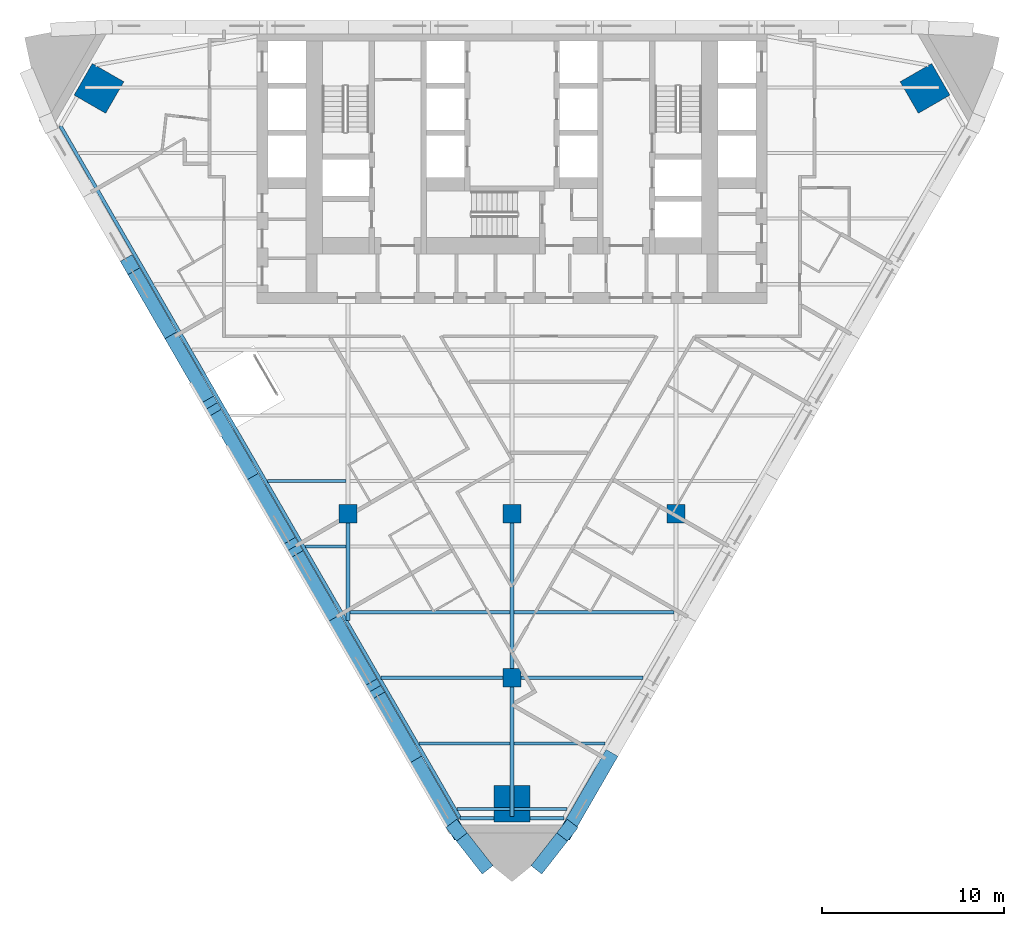
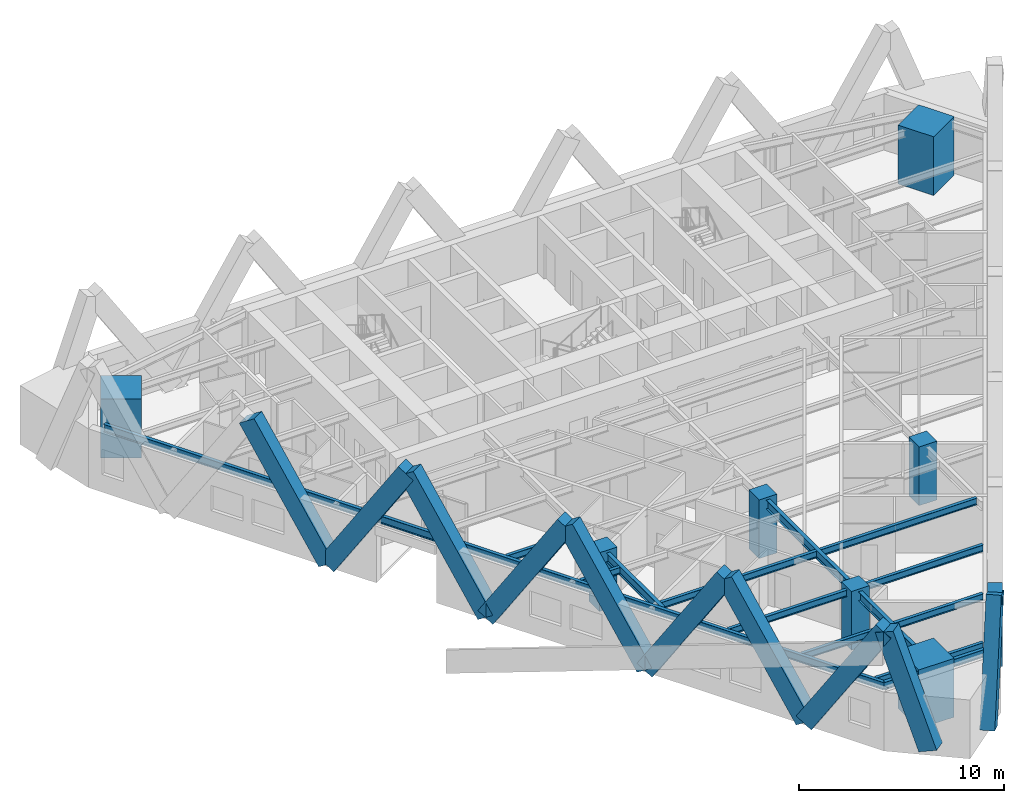
# One storey, part 1 of 12: 16 beams, 11 members, 7 columns.
"""IFC4 building model written with IfcOpenShell, lengths in metres."""

from ifc_helpers import new_model, si_unit, direction, frame, origin, origin_2d, place, context, subcontext, project, spatial, rectangle, i_section, extrude, material, material_profile, profile_set, type_object, element, save


model = new_model("IFC4")

# Units and contexts
model_context = context("Model", 3, precision=1e-05, world=origin(), true_north=direction((0.0, 1.0)))
body_context = subcontext(model_context, "Body", "Model", "MODEL_VIEW")
ifc_project = project(units=[si_unit("LENGTHUNIT", "METRE"), si_unit("AREAUNIT", "SQUARE_METRE"), si_unit("VOLUMEUNIT", "CUBIC_METRE"), si_unit("PLANEANGLEUNIT", "RADIAN"), si_unit("MASSUNIT", "GRAM", prefix="KILO")], contexts=[model_context])

# Site, building, storey
site_placement = place(None, origin())
site = spatial("IfcSite", under=ifc_project, at=site_placement, CompositionType="ELEMENT")
building_placement = place(site_placement, origin())
building = spatial("IfcBuilding", under=site, at=building_placement, Name="Aloe Facet Convention Tower", CompositionType="ELEMENT")
storey_placement = place(building_placement, frame((0.0, 0.0, 56.0)))
storey = spatial("IfcBuildingStorey", under=building, at=storey_placement, Name="L12", CompositionType="ELEMENT", Elevation=56.0)

# Columns
ifc_material_1 = material(Name="Concrete C70/85", Category="concrete")
ifc_material_profile_1 = material_profile(ifc_material_1, rectangle(XDim=1.0, YDim=1.0, at=origin_2d()), Name="SF-GC-Z1")
ifc_profile_set_1 = profile_set([ifc_material_profile_1], Name="Concrete C70/85")
column_type_1 = type_object("IfcColumnType", Name="SF-GC-Z1", PredefinedType="COLUMN", material=ifc_profile_set_1)
for number, where, z_axis, x_axis, name in (
    (1, (71.0, 108.0, 0.0), (0.0, 0.0, 1.0), (1.0, 0.0, 0.0), "Gravity column GC-Z1-8D"),
    (2, (80.0, 99.0, 0.0), (0.0, 0.0, 1.0), (1.0, 0.0, 0.0), "Gravity column GC-Z1-9E"),
    (3, (80.0, 108.0, 0.0), (0.0, 0.0, 1.0), (1.0, 0.0, 0.0), "Gravity column GC-Z1-9D"),
    (4, (89.0, 108.0, 0.0), (0.0, 0.0, 1.0), (1.0, 0.0, 0.0), "Gravity column GC-Z1-10D"),
):
    element("IfcColumn", number, at=place(storey_placement, frame(where, z_axis=z_axis, x_axis=x_axis)), inside=storey, type_object=column_type_1, Name=name, PredefinedType="COLUMN", context=body_context, shape_type="SweptSolid", body=[
        extrude(rectangle(XDim=1.0, YDim=1.0, at=origin_2d()), origin(), (0.0, 0.0, 1.0), 3.5),
    ])
ifc_material_2 = material(Name="Concrete C80/95", Category="concrete")
ifc_material_profile_2 = material_profile(ifc_material_2, rectangle(XDim=2.0, YDim=2.0, at=origin_2d()), Name="STW-MC-Z1")
ifc_profile_set_2 = profile_set([ifc_material_profile_2], Name="Concrete C80/95")
column_type_2 = type_object("IfcColumnType", Name="STW-MC-Z1", PredefinedType="COLUMN", material=ifc_profile_set_2)
for number, where, z_axis, x_axis, name in (
    (5, (102.664306640625, 131.342041015625, 0.0), (0.0, 0.0, 1.0), (-0.5, 0.866025403784, 0.0), "Mega-column MC-NE-L12"),
    (6, (57.335693359375, 131.342041015625, 0.0), (0.0, 0.0, 1.0), (-0.5, -0.866025403784, 0.0), "Mega-column MC-NW-L12"),
    (7, (80.0, 92.086181640625, 0.0), (0.0, 0.0, 1.0), (1.0, 0.0, 0.0), "Mega-column MC-S-L12"),
):
    element("IfcColumn", number, at=place(storey_placement, frame(where, z_axis=z_axis, x_axis=x_axis)), inside=storey, type_object=column_type_2, Name=name, PredefinedType="COLUMN", context=body_context, shape_type="SweptSolid", body=[
        extrude(rectangle(XDim=2.0, YDim=2.0, at=origin_2d()), origin(), (0.0, 0.0, 1.0), 3.5),
    ])

# Beams
ifc_material_3 = material(Name="Steel S355", Category="steel")
ifc_material_profile_3 = material_profile(ifc_material_3, i_section(OverallWidth=0.177734375, OverallDepth=0.402587890625, WebThickness=0.0078125, FlangeThickness=0.010986328125, FilletRadius=0.01025390625, at=origin_2d()), Name="UB 406x178x54")
ifc_profile_set_3 = profile_set([ifc_material_profile_3], Name="Steel S355")
beam_type_1 = type_object("IfcBeamType", Name="SF-B-UB406x178x54", PredefinedType="BEAM", material=ifc_profile_set_3)
beam_1_placement = place(storey_placement, frame((66.5869140625, 109.800048828125, 3.148681640625), z_axis=(1.0, 0.0, 0.0), x_axis=(0.0, 1.0, 0.0)))
element("IfcBeam", 8, at=beam_1_placement, inside=storey, type_object=beam_type_1, Name="Floor beam FB-Z1B-022", PredefinedType="BEAM", context=body_context, shape_type="SweptSolid", body=[
    extrude(i_section(OverallWidth=0.177734375, OverallDepth=0.402587890625, WebThickness=0.0078125, FlangeThickness=0.010986328125, FilletRadius=0.01025390625, at=origin_2d()), origin(), (0.0, 0.0, 1.0), 4.3076171875),
])
beam_2_placement = place(storey_placement, frame((68.665283203125, 106.199951171875, 3.148681640625), z_axis=(1.0, 0.0, 0.0), x_axis=(0.0, 1.0, 0.0)))
element("IfcBeam", 9, at=beam_2_placement, inside=storey, type_object=beam_type_1, Name="Floor beam FB-Z1B-023", PredefinedType="BEAM", context=body_context, shape_type="SweptSolid", body=[
    extrude(i_section(OverallWidth=0.177734375, OverallDepth=0.402587890625, WebThickness=0.0078125, FlangeThickness=0.010986328125, FilletRadius=0.01025390625, at=origin_2d()), origin(), (0.0, 0.0, 1.0), 2.229248046875),
])
beam_3_placement = place(storey_placement, frame((71.10546875, 102.60009765625, 3.148681640625), z_axis=(1.0, 0.0, 0.0), x_axis=(0.0, 1.0, 0.0)))
element("IfcBeam", 10, at=beam_3_placement, inside=storey, type_object=beam_type_1, Name="Floor beam FB-Z1B-024", PredefinedType="BEAM", context=body_context, shape_type="SweptSolid", body=[
    extrude(i_section(OverallWidth=0.177734375, OverallDepth=0.402587890625, WebThickness=0.0078125, FlangeThickness=0.010986328125, FilletRadius=0.01025390625, at=origin_2d()), origin(), (0.0, 0.0, 1.0), 8.7890625),
])
beam_4_placement = place(storey_placement, frame((72.822265625, 99.0, 3.148681640625), z_axis=(1.0, 0.0, 0.0), x_axis=(0.0, 1.0, 0.0)))
element("IfcBeam", 11, at=beam_4_placement, inside=storey, type_object=beam_type_1, Name="Floor beam FB-Z1B-029", PredefinedType="BEAM", context=body_context, shape_type="SweptSolid", body=[
    extrude(i_section(OverallWidth=0.177734375, OverallDepth=0.402587890625, WebThickness=0.0078125, FlangeThickness=0.010986328125, FilletRadius=0.01025390625, at=origin_2d()), origin(), (0.0, 0.0, 1.0), 6.677734375),
])
beam_5_placement = place(storey_placement, frame((74.900634765625, 95.39990234375, 3.148681640625), z_axis=(1.0, 0.0, 0.0), x_axis=(0.0, 1.0, 0.0)))
element("IfcBeam", 12, at=beam_5_placement, inside=storey, type_object=beam_type_1, Name="Floor beam FB-Z1B-030", PredefinedType="BEAM", context=body_context, shape_type="SweptSolid", body=[
    extrude(i_section(OverallWidth=0.177734375, OverallDepth=0.402587890625, WebThickness=0.0078125, FlangeThickness=0.010986328125, FilletRadius=0.01025390625, at=origin_2d()), origin(), (0.0, 0.0, 1.0), 4.993896484375),
])
for number, where, z_axis, x_axis, name in (
    (13, (76.97900390625, 91.800048828125, 3.148681640625), (1.0, 0.0, 0.0), (0.0, 1.0, 0.0), "Floor beam FB-Z1B-031"),
    (14, (80.10546875, 91.800048828125, 3.148681640625), (1.0, 0.0, 0.0), (0.0, 1.0, 0.0), "Floor beam FB-Z1B-032"),
):
    element("IfcBeam", number, at=place(storey_placement, frame(where, z_axis=z_axis, x_axis=x_axis)), inside=storey, type_object=beam_type_1, Name=name, PredefinedType="BEAM", context=body_context, shape_type="SweptSolid", body=[
        extrude(i_section(OverallWidth=0.177734375, OverallDepth=0.402587890625, WebThickness=0.0078125, FlangeThickness=0.010986328125, FilletRadius=0.01025390625, at=origin_2d()), origin(), (0.0, 0.0, 1.0), 2.91552734375),
    ])
beam_6_placement = place(storey_placement, frame((80.10546875, 95.39990234375, 3.148681640625), z_axis=(1.0, 0.0, 0.0), x_axis=(0.0, 1.0, 0.0)))
element("IfcBeam", 15, at=beam_6_placement, inside=storey, type_object=beam_type_1, Name="Floor beam FB-Z1B-033", PredefinedType="BEAM", context=body_context, shape_type="SweptSolid", body=[
    extrude(i_section(OverallWidth=0.177734375, OverallDepth=0.402587890625, WebThickness=0.0078125, FlangeThickness=0.010986328125, FilletRadius=0.01025390625, at=origin_2d()), origin(), (0.0, 0.0, 1.0), 4.993896484375),
])
beam_7_placement = place(storey_placement, frame((80.10546875, 102.60009765625, 3.148681640625), z_axis=(1.0, 0.0, 0.0), x_axis=(0.0, 1.0, 0.0)))
element("IfcBeam", 16, at=beam_7_placement, inside=storey, type_object=beam_type_1, Name="Floor beam FB-Z1B-034", PredefinedType="BEAM", context=body_context, shape_type="SweptSolid", body=[
    extrude(i_section(OverallWidth=0.177734375, OverallDepth=0.402587890625, WebThickness=0.0078125, FlangeThickness=0.010986328125, FilletRadius=0.01025390625, at=origin_2d()), origin(), (0.0, 0.0, 1.0), 8.7890625),
])
beam_8_placement = place(storey_placement, frame((80.5, 99.0, 3.148681640625), z_axis=(1.0, 0.0, 0.0), x_axis=(0.0, 1.0, 0.0)))
element("IfcBeam", 17, at=beam_8_placement, inside=storey, type_object=beam_type_1, Name="Floor beam FB-Z1B-039", PredefinedType="BEAM", context=body_context, shape_type="SweptSolid", body=[
    extrude(i_section(OverallWidth=0.177734375, OverallDepth=0.402587890625, WebThickness=0.0078125, FlangeThickness=0.010986328125, FilletRadius=0.01025390625, at=origin_2d()), origin(), (0.0, 0.0, 1.0), 6.677734375),
])
ifc_material_4 = material(Name="Steel S355", Category="steel")
ifc_material_profile_4 = material_profile(ifc_material_4, i_section(OverallWidth=0.18994140625, OverallDepth=0.453369140625, WebThickness=0.008544921875, FlangeThickness=0.0126953125, FilletRadius=0.01025390625, at=origin_2d()), Name="UB 457x191x67")
ifc_profile_set_4 = profile_set([ifc_material_profile_4], Name="Steel S355")
beam_type_2 = type_object("IfcBeamType", Name="SF-B-UB457x191x67", PredefinedType="BEAM", material=ifc_profile_set_4)
beam_9_placement = place(storey_placement, frame((77.158935546875, 91.28125, 3.123291015625), z_axis=(-0.499998569178, 0.866026229868, 0.0), x_axis=(-0.866026229868, -0.499998569178, 0.0)))
element("IfcBeam", 18, at=beam_9_placement, inside=storey, type_object=beam_type_2, Name="Floor beam FB-Z1B-003", PredefinedType="BEAM", context=body_context, shape_type="SweptSolid", body=[
    extrude(i_section(OverallWidth=0.18994140625, OverallDepth=0.453369140625, WebThickness=0.008544921875, FlangeThickness=0.0126953125, FilletRadius=0.01025390625, at=origin_2d()), origin(), (0.0, 0.0, 1.0), 43.882080078125),
])
for number, where, z_axis, x_axis, name in (
    (19, (79.0, 91.28125, 3.123291015625), (-1.0, 0.0, 0.0), (0.0, -1.0, 0.0), "Floor beam FB-Z1B-004"),
    (20, (82.841064453125, 91.28125, 3.123291015625), (-1.0, 0.0, 0.0), (0.0, -1.0, 0.0), "Floor beam FB-Z1B-005"),
):
    element("IfcBeam", number, at=place(storey_placement, frame(where, z_axis=z_axis, x_axis=x_axis)), inside=storey, type_object=beam_type_2, Name=name, PredefinedType="BEAM", context=body_context, shape_type="SweptSolid", body=[
        extrude(i_section(OverallWidth=0.18994140625, OverallDepth=0.453369140625, WebThickness=0.008544921875, FlangeThickness=0.0126953125, FilletRadius=0.01025390625, at=origin_2d()), origin(), (0.0, 0.0, 1.0), 1.841064453125),
    ])
ifc_material_5 = material(Name="Steel S355", Category="steel")
ifc_material_profile_5 = material_profile(ifc_material_5, i_section(OverallWidth=0.210693359375, OverallDepth=0.53955078125, WebThickness=0.01171875, FlangeThickness=0.018798828125, FilletRadius=0.0126953125, at=origin_2d()), Name="UB 533x210x109")
ifc_profile_set_5 = profile_set([ifc_material_profile_5], Name="Steel S355")
beam_type_3 = type_object("IfcBeamType", Name="SF-B-UB533x210x109", PredefinedType="BEAM", material=ifc_profile_set_5)
beam_10_placement = place(storey_placement, frame((71.0, 107.5, 3.080078125), z_axis=(0.0, -1.0, 0.0), x_axis=(1.0, 0.0, 0.0)))
element("IfcBeam", 21, at=beam_10_placement, inside=storey, type_object=beam_type_3, Name="Floor beam FB-Z1B-009", PredefinedType="BEAM", context=body_context, shape_type="SweptSolid", body=[
    extrude(i_section(OverallWidth=0.210693359375, OverallDepth=0.53955078125, WebThickness=0.01171875, FlangeThickness=0.018798828125, FilletRadius=0.0126953125, at=origin_2d()), origin(), (0.0, 0.0, 1.0), 5.351318359375),
])
beam_11_placement = place(storey_placement, frame((80.0, 98.5, 3.080078125), z_axis=(0.0, -1.0, 0.0), x_axis=(1.0, 0.0, 0.0)))
element("IfcBeam", 22, at=beam_11_placement, inside=storey, type_object=beam_type_3, Name="Floor beam FB-Z1B-011", PredefinedType="BEAM", context=body_context, shape_type="SweptSolid", body=[
    extrude(i_section(OverallWidth=0.210693359375, OverallDepth=0.53955078125, WebThickness=0.01171875, FlangeThickness=0.018798828125, FilletRadius=0.0126953125, at=origin_2d()), origin(), (0.0, 0.0, 1.0), 7.11376953125),
])
beam_12_placement = place(storey_placement, frame((80.0, 107.5, 3.080078125), z_axis=(0.0, -1.0, 0.0), x_axis=(1.0, 0.0, 0.0)))
element("IfcBeam", 23, at=beam_12_placement, inside=storey, type_object=beam_type_3, Name="Floor beam FB-Z1B-012", PredefinedType="BEAM", context=body_context, shape_type="SweptSolid", body=[
    extrude(i_section(OverallWidth=0.210693359375, OverallDepth=0.53955078125, WebThickness=0.01171875, FlangeThickness=0.018798828125, FilletRadius=0.0126953125, at=origin_2d()), origin(), (0.0, 0.0, 1.0), 8.0),
])

# Members
ifc_material_6 = material(Name="Concrete C60/75, bronze oxide finish", Category="concrete")
ifc_material_profile_6 = material_profile(ifc_material_6, rectangle(XDim=0.75, YDim=1.0, at=origin_2d()), Name="STW-LM")
ifc_profile_set_6 = profile_set([ifc_material_profile_6], Name="Concrete C60/75, bronze oxide finish")
member_type = type_object("IfcMemberType", Name="STW-LM", PredefinedType="BRACE", material=ifc_profile_set_6)
for number, where, z_axis, x_axis, name in (
    (24, (61.27978515625, 117.794921875, 0.0), (-0.26952810724, 0.466819744104, 0.842279007171), (-0.866017690131, -0.500013360201, 0.0), "Lattice member LM-Z1-F2-R3-03"),
    (25, (61.27978515625, 117.794921875, 0.0), (0.269524411036, -0.466842718276, 0.842267456482), (0.866031314237, 0.499989762656, 0.0), "Lattice member LM-Z1-F2-R3-04"),
    (26, (65.759765625, 110.03515625, 0.0), (-0.269524411036, 0.466842718276, 0.842267456482), (-0.866031314237, -0.499989762656, 0.0), "Lattice member LM-Z1-F2-R3-05"),
    (27, (65.759765625, 110.03515625, 0.0), (0.26952810724, -0.466819744104, 0.842279007171), (0.866017690131, 0.500013360201, 0.0), "Lattice member LM-Z1-F2-R3-06"),
    (28, (70.23974609375, 102.275634765625, 0.0), (-0.269524411036, 0.466842718276, 0.842267456482), (-0.866031314237, -0.499989762656, 0.0), "Lattice member LM-Z1-F2-R3-07"),
    (29, (70.23974609375, 102.275634765625, 0.0), (0.26952810724, -0.466819744104, 0.842279007171), (0.866017690131, 0.500013360201, 0.0), "Lattice member LM-Z1-F2-R3-08"),
    (30, (74.7197265625, 94.51611328125, 0.0), (-0.269524411036, 0.466842718276, 0.842267456482), (-0.866031314237, -0.499989762656, 0.0), "Lattice member LM-Z1-F2-R3-09"),
    (31, (74.7197265625, 94.51611328125, 0.0), (0.269524411036, -0.466842718276, 0.842267456482), (0.866031314237, 0.499989762656, 0.0), "Lattice member LM-Z1-F2-R3-10"),
    (32, (85.2802734375, 94.51611328125, 0.0), (-0.269524411036, -0.466842718276, 0.842267456482), (0.866031314237, -0.499989762656, 0.0), "Lattice member LM-Z1-F3-R3-01"),
):
    element("IfcMember", number, at=place(storey_placement, frame(where, z_axis=z_axis, x_axis=x_axis)), inside=storey, type_object=member_type, Name=name, PredefinedType="BRACE", context=body_context, shape_type="SweptSolid", body=[
        extrude(rectangle(XDim=0.75, YDim=1.0, at=origin_2d()), origin(), (0.0, 0.0, 1.0), 8.310791015625),
    ])
for number, where, z_axis, x_axis, name in (
    (33, (78.370361328125, 88.831298828125, 0.504638671875), (-0.204812793933, 0.26205970674, 0.943067563616), (-0.787909641557, -0.615790870947, 0.0), "Lattice member LM-Z1-F5-R2-05"),
    (34, (81.629638671875, 88.831298828125, 0.504638671875), (0.204812793933, 0.26205970674, 0.943067563616), (-0.787909641557, 0.615790870947, 0.0), "Lattice member LM-Z1-F5-R2-06"),
):
    element("IfcMember", number, at=place(storey_placement, frame(where, z_axis=z_axis, x_axis=x_axis)), inside=storey, type_object=member_type, Name=name, PredefinedType="BRACE", context=body_context, shape_type="SweptSolid", body=[
        extrude(rectangle(XDim=0.75, YDim=1.0, at=origin_2d()), origin(), (0.0, 0.0, 1.0), 6.887451171875),
    ])

save(model, "model.ifc")
